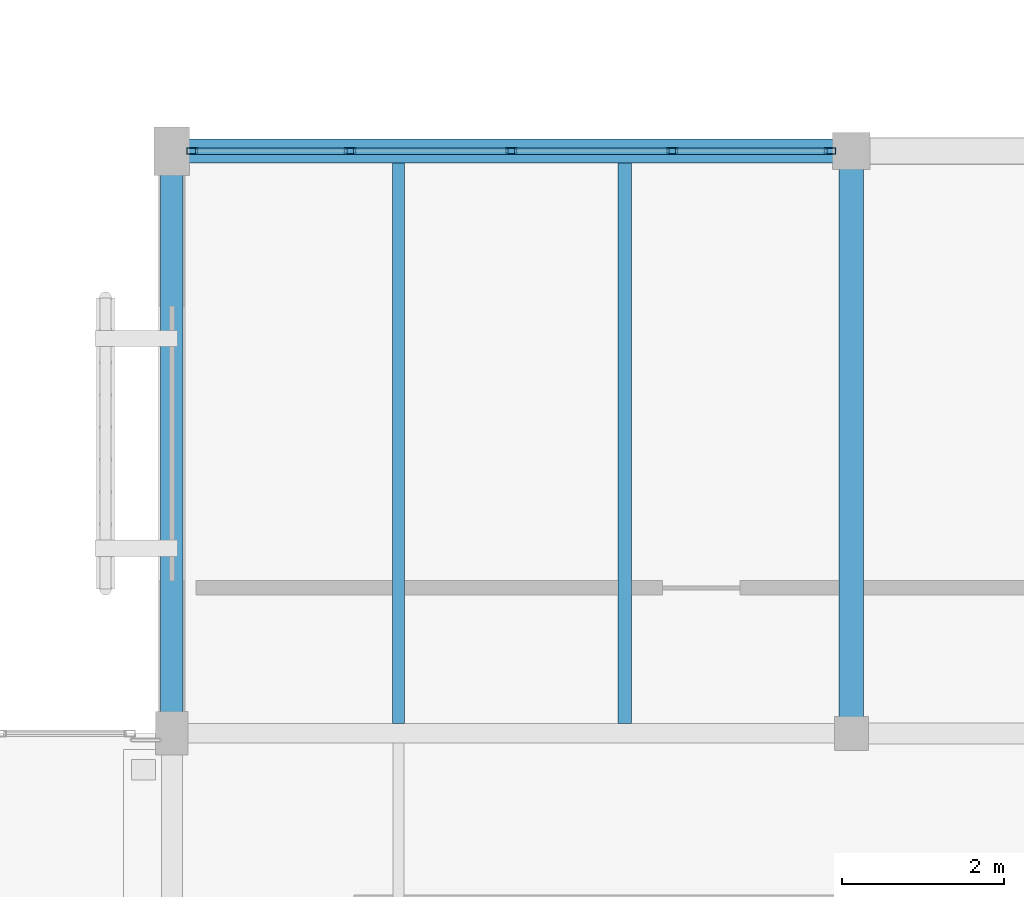
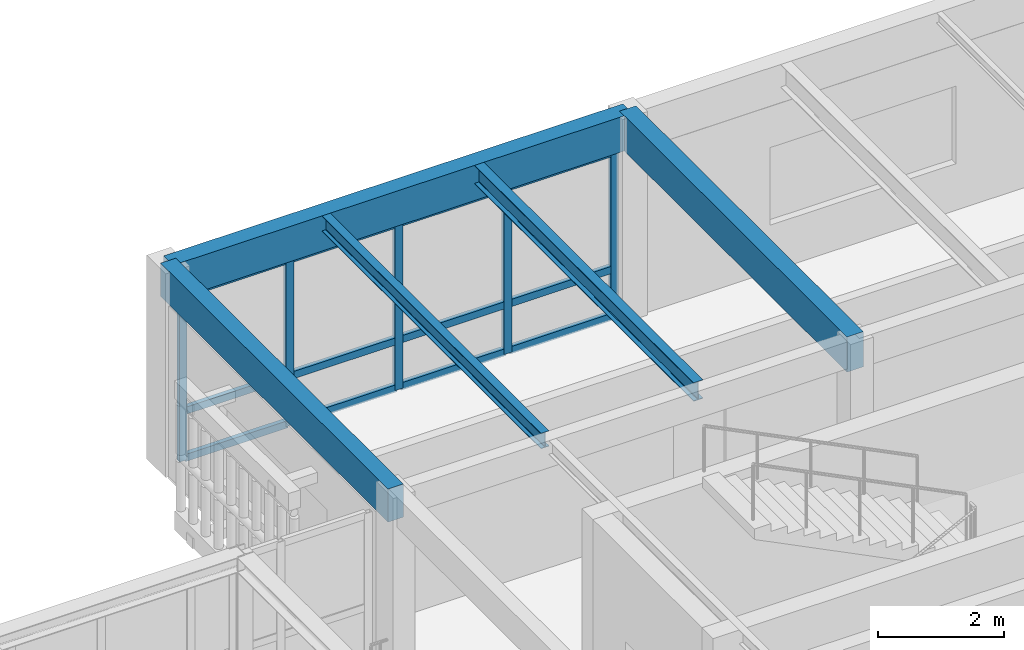
# One storey, part 36 of 217: 17 members, 5 beams, 1 element without a shape of its own.
"""IFC4 building model written with IfcOpenShell, lengths in metres."""

from ifc_helpers import new_model, si_unit, direction, frame, origin, origin_2d, place, context, subcontext, project, spatial, rectangle, hollow_rectangle, i_section, extrude, material, layer, layer_set, material_profile, profile_set, type_object, element, aggregate, save


model = new_model("IFC4")

# Units and contexts
model_context = context("Model", 3, precision=1e-05, world=origin(), true_north=direction((0.0, 1.0)))
body_context = subcontext(model_context, "Body", "Model", "MODEL_VIEW")
ifc_project = project(units=[si_unit("LENGTHUNIT", "METRE"), si_unit("AREAUNIT", "SQUARE_METRE"), si_unit("VOLUMEUNIT", "CUBIC_METRE"), si_unit("PLANEANGLEUNIT", "RADIAN"), si_unit("MASSUNIT", "GRAM", prefix="KILO")], contexts=[model_context])

# Site, building, storey
site_placement = place(None, origin())
site = spatial("IfcSite", under=ifc_project, at=site_placement, CompositionType="ELEMENT")
building_placement = place(site_placement, origin())
building = spatial("IfcBuilding", under=site, at=building_placement, Name="Mazaris Harbour Polytechnic", CompositionType="ELEMENT")
storey_placement = place(building_placement, frame((0.0, 0.0, 9.60009765625)))
storey = spatial("IfcBuildingStorey", under=building, at=storey_placement, Name="L02", CompositionType="ELEMENT", Elevation=9.60009765625)

# Curtain wall, members
ifc_material_1 = material(Name="Anodised Bronze Aluminium and Low-E Glass", Category="aluminium")
ifc_layer = layer(ifc_material_1, 0.159912109375, Name="Anodised Bronze Aluminium and Low-E Glass")
ifc_layer_set = layer_set([ifc_layer], Name="Anodised Bronze Aluminium and Low-E Glass")
curtain_wall_type = type_object("IfcCurtainWallType", Name="Cloister Court Curtain Wall", PredefinedType="NOTDEFINED", material=ifc_layer_set)
curtain_wall_placement = place(storey_placement, origin())
curtain_wall = element("IfcCurtainWall", 1, at=curtain_wall_placement, inside=storey, type_object=curtain_wall_type, Name="V3 L02 Curtain Wall 86", PredefinedType="NOTDEFINED")
ifc_material_2 = material(Name="Anodised Bronze Steel S355", Category="steel")
ifc_material_profile_1 = material_profile(ifc_material_2, hollow_rectangle(XDim=0.080078125, YDim=0.139892578125, WallThickness=0.00634765625, at=origin_2d()), Name="RHS 80x140x6.3")
ifc_profile_set_1 = profile_set([ifc_material_profile_1], Name="Anodised Bronze Steel S355")
member_type_1 = type_object("IfcMemberType", Name="Curtain Mullion RHS80x140", PredefinedType="MULLION", material=ifc_profile_set_1)
member_1_placement = place(storey_placement, frame((54.251953125, 36.0, 0.0), z_axis=(0.0, 0.0, 1.0), x_axis=(0.0, 1.0, 0.0)))
member_1 = element("IfcMember", 2, at=member_1_placement, type_object=member_type_1, Name="CW-02 mullion 1", PredefinedType="MULLION", context=body_context, shape_type="SweptSolid", body=[
    extrude(hollow_rectangle(XDim=0.080078125, YDim=0.139892578125, WallThickness=0.00634765625, at=origin_2d()), origin(), (0.0, 0.0, 1.0), 3.244873046875),
])
member_2_placement = place(storey_placement, frame((56.20361328125, 36.0, 0.0), z_axis=(0.0, 0.0, 1.0), x_axis=(0.0, 1.0, 0.0)))
member_2 = element("IfcMember", 3, at=member_2_placement, type_object=member_type_1, Name="CW-02 mullion 2", PredefinedType="MULLION", context=body_context, shape_type="SweptSolid", body=[
    extrude(hollow_rectangle(XDim=0.080078125, YDim=0.139892578125, WallThickness=0.00634765625, at=origin_2d()), origin(), (0.0, 0.0, 1.0), 3.244873046875),
])
member_3_placement = place(storey_placement, frame((58.195068359375, 36.0, 0.0), z_axis=(0.0, 0.0, 1.0), x_axis=(0.0, 1.0, 0.0)))
member_3 = element("IfcMember", 4, at=member_3_placement, type_object=member_type_1, Name="CW-02 mullion 3", PredefinedType="MULLION", context=body_context, shape_type="SweptSolid", body=[
    extrude(hollow_rectangle(XDim=0.080078125, YDim=0.139892578125, WallThickness=0.00634765625, at=origin_2d()), origin(), (0.0, 0.0, 1.0), 3.244873046875),
])
member_4_placement = place(storey_placement, frame((60.1865234375, 36.0, 0.0), z_axis=(0.0, 0.0, 1.0), x_axis=(0.0, 1.0, 0.0)))
member_4 = element("IfcMember", 5, at=member_4_placement, type_object=member_type_1, Name="CW-02 mullion 4", PredefinedType="MULLION", context=body_context, shape_type="SweptSolid", body=[
    extrude(hollow_rectangle(XDim=0.080078125, YDim=0.139892578125, WallThickness=0.00634765625, at=origin_2d()), origin(), (0.0, 0.0, 1.0), 3.244873046875),
])
member_5_placement = place(storey_placement, frame((62.137939453125, 36.0, 0.0), z_axis=(0.0, 0.0, 1.0), x_axis=(0.0, 1.0, 0.0)))
member_5 = element("IfcMember", 6, at=member_5_placement, type_object=member_type_1, Name="CW-02 mullion 5", PredefinedType="MULLION", context=body_context, shape_type="SweptSolid", body=[
    extrude(hollow_rectangle(XDim=0.080078125, YDim=0.139892578125, WallThickness=0.00634765625, at=origin_2d()), origin(), (0.0, 0.0, 1.0), 3.244873046875),
])
ifc_material_3 = material(Name="Anodised Bronze Steel S355", Category="steel")
ifc_material_profile_2 = material_profile(ifc_material_3, hollow_rectangle(XDim=0.080078125, YDim=0.139892578125, WallThickness=0.00634765625, at=origin_2d()), Name="RHS 80x140x6.3")
ifc_profile_set_2 = profile_set([ifc_material_profile_2], Name="Anodised Bronze Steel S355")
member_type_2 = type_object("IfcMemberType", Name="Curtain Transom RHS80x140", PredefinedType="USERDEFINED", material=ifc_profile_set_2)
member_6_placement = place(storey_placement, frame((54.2919921875, 36.0, 0.039794921875), z_axis=(1.0, 0.0, 0.0), x_axis=(0.0, 1.0, 0.0)))
member_6 = element("IfcMember", 7, at=member_6_placement, type_object=member_type_2, Name="CW-02 transom 1.1", ObjectType="TRANSOM", PredefinedType="USERDEFINED", context=body_context, shape_type="SweptSolid", body=[
    extrude(hollow_rectangle(XDim=0.080078125, YDim=0.139892578125, WallThickness=0.00634765625, at=origin_2d()), origin(), (0.0, 0.0, 1.0), 1.87158203125),
])
member_7_placement = place(storey_placement, frame((54.2919921875, 36.0, 0.949951171875), z_axis=(1.0, 0.0, 0.0), x_axis=(0.0, 1.0, 0.0)))
member_7 = element("IfcMember", 8, at=member_7_placement, type_object=member_type_2, Name="CW-02 transom 1.2", ObjectType="TRANSOM", PredefinedType="USERDEFINED", context=body_context, shape_type="SweptSolid", body=[
    extrude(hollow_rectangle(XDim=0.080078125, YDim=0.139892578125, WallThickness=0.00634765625, at=origin_2d()), origin(), (0.0, 0.0, 1.0), 1.87158203125),
])
member_8_placement = place(storey_placement, frame((54.2919921875, 36.0, 3.204833984375), z_axis=(1.0, 0.0, 0.0), x_axis=(0.0, 1.0, 0.0)))
member_8 = element("IfcMember", 9, at=member_8_placement, type_object=member_type_2, Name="CW-02 transom 1.3", ObjectType="TRANSOM", PredefinedType="USERDEFINED", context=body_context, shape_type="SweptSolid", body=[
    extrude(hollow_rectangle(XDim=0.080078125, YDim=0.139892578125, WallThickness=0.00634765625, at=origin_2d()), origin(), (0.0, 0.0, 1.0), 1.87158203125),
])
member_9_placement = place(storey_placement, frame((56.243408203125, 36.0, 0.039794921875), z_axis=(1.0, 0.0, 0.0), x_axis=(0.0, 1.0, 0.0)))
member_9 = element("IfcMember", 10, at=member_9_placement, type_object=member_type_2, Name="CW-02 transom 2.1", ObjectType="TRANSOM", PredefinedType="USERDEFINED", context=body_context, shape_type="SweptSolid", body=[
    extrude(hollow_rectangle(XDim=0.080078125, YDim=0.139892578125, WallThickness=0.00634765625, at=origin_2d()), origin(), (0.0, 0.0, 1.0), 1.91162109375),
])
member_10_placement = place(storey_placement, frame((56.243408203125, 36.0, 0.949951171875), z_axis=(1.0, 0.0, 0.0), x_axis=(0.0, 1.0, 0.0)))
member_10 = element("IfcMember", 11, at=member_10_placement, type_object=member_type_2, Name="CW-02 transom 2.2", ObjectType="TRANSOM", PredefinedType="USERDEFINED", context=body_context, shape_type="SweptSolid", body=[
    extrude(hollow_rectangle(XDim=0.080078125, YDim=0.139892578125, WallThickness=0.00634765625, at=origin_2d()), origin(), (0.0, 0.0, 1.0), 1.91162109375),
])
member_11_placement = place(storey_placement, frame((56.243408203125, 36.0, 3.204833984375), z_axis=(1.0, 0.0, 0.0), x_axis=(0.0, 1.0, 0.0)))
member_11 = element("IfcMember", 12, at=member_11_placement, type_object=member_type_2, Name="CW-02 transom 2.3", ObjectType="TRANSOM", PredefinedType="USERDEFINED", context=body_context, shape_type="SweptSolid", body=[
    extrude(hollow_rectangle(XDim=0.080078125, YDim=0.139892578125, WallThickness=0.00634765625, at=origin_2d()), origin(), (0.0, 0.0, 1.0), 1.91162109375),
])
member_12_placement = place(storey_placement, frame((58.235107421875, 36.0, 0.039794921875), z_axis=(1.0, 0.0, 0.0), x_axis=(0.0, 1.0, 0.0)))
member_12 = element("IfcMember", 13, at=member_12_placement, type_object=member_type_2, Name="CW-02 transom 3.1", ObjectType="TRANSOM", PredefinedType="USERDEFINED", context=body_context, shape_type="SweptSolid", body=[
    extrude(hollow_rectangle(XDim=0.080078125, YDim=0.139892578125, WallThickness=0.00634765625, at=origin_2d()), origin(), (0.0, 0.0, 1.0), 1.911376953125),
])
member_13_placement = place(storey_placement, frame((58.235107421875, 36.0, 0.949951171875), z_axis=(1.0, 0.0, 0.0), x_axis=(0.0, 1.0, 0.0)))
member_13 = element("IfcMember", 14, at=member_13_placement, type_object=member_type_2, Name="CW-02 transom 3.2", ObjectType="TRANSOM", PredefinedType="USERDEFINED", context=body_context, shape_type="SweptSolid", body=[
    extrude(hollow_rectangle(XDim=0.080078125, YDim=0.139892578125, WallThickness=0.00634765625, at=origin_2d()), origin(), (0.0, 0.0, 1.0), 1.911376953125),
])
member_14_placement = place(storey_placement, frame((58.235107421875, 36.0, 3.204833984375), z_axis=(1.0, 0.0, 0.0), x_axis=(0.0, 1.0, 0.0)))
member_14 = element("IfcMember", 15, at=member_14_placement, type_object=member_type_2, Name="CW-02 transom 3.3", ObjectType="TRANSOM", PredefinedType="USERDEFINED", context=body_context, shape_type="SweptSolid", body=[
    extrude(hollow_rectangle(XDim=0.080078125, YDim=0.139892578125, WallThickness=0.00634765625, at=origin_2d()), origin(), (0.0, 0.0, 1.0), 1.911376953125),
])
member_15_placement = place(storey_placement, frame((60.2265625, 36.0, 0.039794921875), z_axis=(1.0, 0.0, 0.0), x_axis=(0.0, 1.0, 0.0)))
member_15 = element("IfcMember", 16, at=member_15_placement, type_object=member_type_2, Name="CW-02 transom 4.1", ObjectType="TRANSOM", PredefinedType="USERDEFINED", context=body_context, shape_type="SweptSolid", body=[
    extrude(hollow_rectangle(XDim=0.080078125, YDim=0.139892578125, WallThickness=0.00634765625, at=origin_2d()), origin(), (0.0, 0.0, 1.0), 1.871337890625),
])
member_16_placement = place(storey_placement, frame((60.2265625, 36.0, 0.949951171875), z_axis=(1.0, 0.0, 0.0), x_axis=(0.0, 1.0, 0.0)))
member_16 = element("IfcMember", 17, at=member_16_placement, type_object=member_type_2, Name="CW-02 transom 4.2", ObjectType="TRANSOM", PredefinedType="USERDEFINED", context=body_context, shape_type="SweptSolid", body=[
    extrude(hollow_rectangle(XDim=0.080078125, YDim=0.139892578125, WallThickness=0.00634765625, at=origin_2d()), origin(), (0.0, 0.0, 1.0), 1.871337890625),
])
member_17_placement = place(storey_placement, frame((60.2265625, 36.0, 3.204833984375), z_axis=(1.0, 0.0, 0.0), x_axis=(0.0, 1.0, 0.0)))
member_17 = element("IfcMember", 18, at=member_17_placement, type_object=member_type_2, Name="CW-02 transom 4.3", ObjectType="TRANSOM", PredefinedType="USERDEFINED", context=body_context, shape_type="SweptSolid", body=[
    extrude(hollow_rectangle(XDim=0.080078125, YDim=0.139892578125, WallThickness=0.00634765625, at=origin_2d()), origin(), (0.0, 0.0, 1.0), 1.871337890625),
])
aggregate(curtain_wall, [member_1, member_2, member_3, member_4, member_5, member_6, member_7, member_8, member_9, member_10, member_11, member_12, member_13, member_14, member_15, member_16, member_17])

# Beams
ifc_material_4 = material(Name="Glulam GL32h", Category="wood")
ifc_material_profile_3 = material_profile(ifc_material_4, rectangle(XDim=0.280029296875, YDim=0.639892578125, at=origin_2d()), Name="RECT280x640")
ifc_profile_set_3 = profile_set([ifc_material_profile_3], Name="Glulam GL32h")
beam_type_1 = type_object("IfcBeamType", Name="Glulam Girder 280x640 Exterior", PredefinedType="BEAM", material=ifc_profile_set_3)
beam_1_placement = place(storey_placement, frame((54.0, 28.800048828125, 3.614990234375), z_axis=(0.0, 1.0, 0.0), x_axis=(-1.0, 0.0, 0.0)))
element("IfcBeam", 19, at=beam_1_placement, inside=storey, type_object=beam_type_1, Name="V3 L02 Tie Girder 1067", PredefinedType="BEAM", context=body_context, shape_type="SweptSolid", body=[
    extrude(rectangle(XDim=0.280029296875, YDim=0.639892578125, at=origin_2d()), origin(), (0.0, 0.0, 1.0), 7.199951171875),
])
ifc_material_5 = material(Name="Glulam GL32h", Category="wood")
ifc_material_profile_4 = material_profile(ifc_material_5, rectangle(XDim=0.300048828125, YDim=0.679931640625, at=origin_2d()), Name="RECT300x680")
ifc_profile_set_4 = profile_set([ifc_material_profile_4], Name="Glulam GL32h")
beam_type_2 = type_object("IfcBeamType", Name="Glulam Girder 300x680", PredefinedType="BEAM", material=ifc_profile_set_4)
beam_2_placement = place(storey_placement, frame((62.39990234375, 28.800048828125, 3.594970703125), z_axis=(0.0, 1.0, 0.0), x_axis=(-1.0, 0.0, 0.0)))
element("IfcBeam", 20, at=beam_2_placement, inside=storey, type_object=beam_type_2, Name="V3 L02 Tie Girder 1068", PredefinedType="BEAM", context=body_context, shape_type="SweptSolid", body=[
    extrude(rectangle(XDim=0.300048828125, YDim=0.679931640625, at=origin_2d()), origin(), (0.0, 0.0, 1.0), 7.199951171875),
])
ifc_material_6 = material(Name="Glulam GL32h", Category="wood")
ifc_material_profile_5 = material_profile(ifc_material_6, rectangle(XDim=0.300048828125, YDim=0.679931640625, at=origin_2d()), Name="RECT300x680")
ifc_profile_set_5 = profile_set([ifc_material_profile_5], Name="Glulam GL32h")
beam_type_3 = type_object("IfcBeamType", Name="Glulam Girder 300x680 Exterior", PredefinedType="BEAM", material=ifc_profile_set_5)
beam_3_placement = place(storey_placement, frame((54.0, 36.0, 3.594970703125), z_axis=(1.0, 0.0, 0.0), x_axis=(0.0, 1.0, 0.0)))
element("IfcBeam", 21, at=beam_3_placement, inside=storey, type_object=beam_type_3, Name="V3 L02 Girder 1063", PredefinedType="BEAM", context=body_context, shape_type="SweptSolid", body=[
    extrude(rectangle(XDim=0.300048828125, YDim=0.679931640625, at=origin_2d()), origin(), (0.0, 0.0, 1.0), 8.39990234375),
])
ifc_material_7 = material(Name="Steel S355", Category="steel")
ifc_material_profile_6 = material_profile(ifc_material_7, i_section(OverallWidth=0.14990234375, OverallDepth=0.300048828125, WebThickness=0.007080078125, FlangeThickness=0.0107421875, FilletRadius=0.014892578125, at=origin_2d()), Name="IPE 300")
ifc_profile_set_6 = profile_set([ifc_material_profile_6], Name="Steel S355")
beam_type_4 = type_object("IfcBeamType", Name="Steel Joist IPE300", PredefinedType="JOIST", material=ifc_profile_set_6)
beam_4_placement = place(storey_placement, frame((56.800048828125, 28.919921875, 3.784912109375), z_axis=(0.0, 1.0, 0.0), x_axis=(-1.0, 0.0, 0.0)))
element("IfcBeam", 22, at=beam_4_placement, inside=storey, type_object=beam_type_4, Name="V3 L02 Floor Joist 1074", PredefinedType="JOIST", context=body_context, shape_type="SweptSolid", body=[
    extrude(i_section(OverallWidth=0.14990234375, OverallDepth=0.300048828125, WebThickness=0.007080078125, FlangeThickness=0.0107421875, FilletRadius=0.014892578125, at=origin_2d()), origin(), (0.0, 0.0, 1.0), 6.93017578125),
])
ifc_material_8 = material(Name="Steel S355", Category="steel")
ifc_material_profile_7 = material_profile(ifc_material_8, i_section(OverallWidth=0.169921875, OverallDepth=0.360107421875, WebThickness=0.008056640625, FlangeThickness=0.0126953125, FilletRadius=0.01806640625, at=origin_2d()), Name="IPE 360")
ifc_profile_set_7 = profile_set([ifc_material_profile_7], Name="Steel S355")
beam_type_5 = type_object("IfcBeamType", Name="Steel Joist IPE360", PredefinedType="JOIST", material=ifc_profile_set_7)
beam_5_placement = place(storey_placement, frame((59.60009765625, 28.919921875, 3.7548828125), z_axis=(0.0, 1.0, 0.0), x_axis=(-1.0, 0.0, 0.0)))
element("IfcBeam", 23, at=beam_5_placement, inside=storey, type_object=beam_type_5, Name="V3 L02 Floor Joist 1075", PredefinedType="JOIST", context=body_context, shape_type="SweptSolid", body=[
    extrude(i_section(OverallWidth=0.169921875, OverallDepth=0.360107421875, WebThickness=0.008056640625, FlangeThickness=0.0126953125, FilletRadius=0.01806640625, at=origin_2d()), origin(), (0.0, 0.0, 1.0), 6.93017578125),
])

save(model, "model.ifc")
